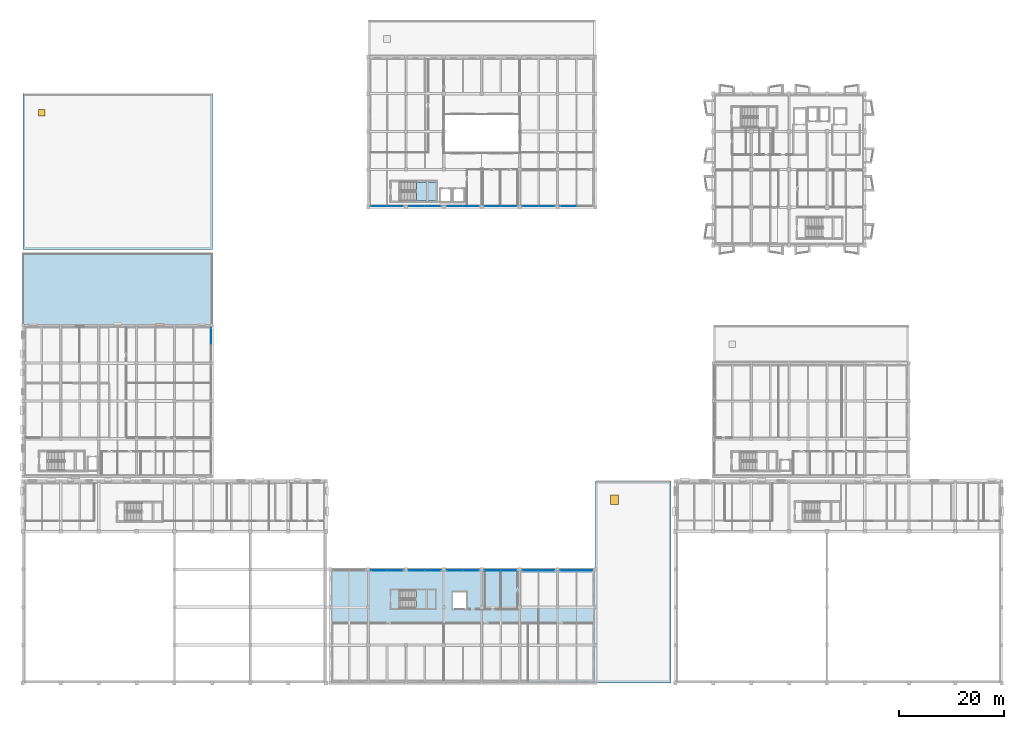
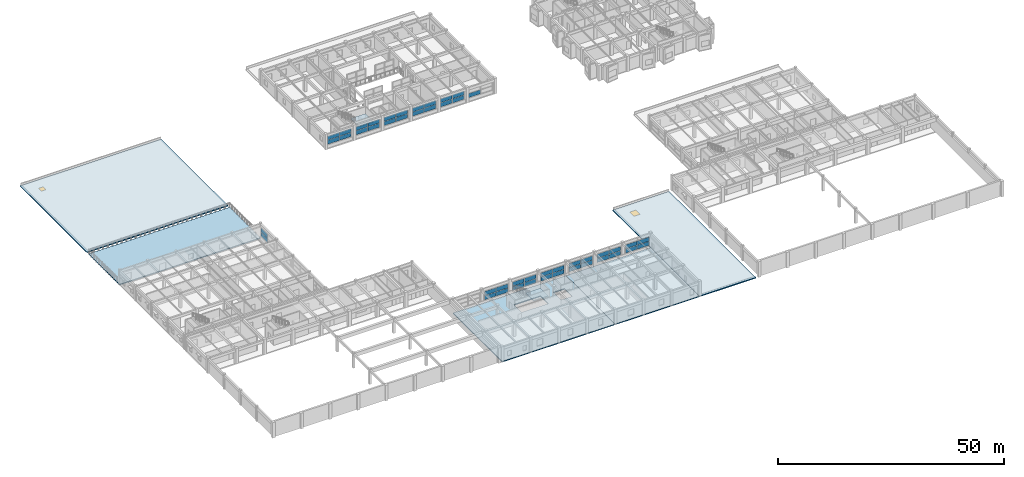
# One storey, part 41 of 67: 47 plates, 7 slabs, 2 windows, 2 openings, 15 elements without a shape of their own.
"""IFC4 building model written with IfcOpenShell, lengths in metres."""

from ifc_helpers import new_model, si_unit, direction, frame, origin, origin_2d, place, context, subcontext, project, spatial, polyline, rectangle, outline, extrude, material, layer, layer_set, type_object, element, fill, aggregate, save


model = new_model("IFC4")

# Units and contexts
model_context = context("Model", 3, precision=1e-05, world=origin(), true_north=direction((0.0, 1.0)))
body_context = subcontext(model_context, "Body", "Model", "MODEL_VIEW")
ifc_project = project(units=[si_unit("LENGTHUNIT", "METRE"), si_unit("AREAUNIT", "SQUARE_METRE"), si_unit("VOLUMEUNIT", "CUBIC_METRE"), si_unit("PLANEANGLEUNIT", "RADIAN"), si_unit("MASSUNIT", "GRAM", prefix="KILO")], contexts=[model_context])

# Site, building, storey
site_placement = place(None, origin())
site = spatial("IfcSite", under=ifc_project, at=site_placement, CompositionType="ELEMENT")
building_placement = place(site_placement, origin())
building = spatial("IfcBuilding", under=site, at=building_placement, Name="Bramveld Media Centre", CompositionType="ELEMENT")
storey_placement = place(building_placement, frame((0.0, 0.0, 5.39990234375)))
storey = spatial("IfcBuildingStorey", under=building, at=storey_placement, Name="L01", CompositionType="ELEMENT", Elevation=5.39990234375)

# Curtain wall, plates
ifc_material_1 = material(Name="Thermally broken anodized bronze aluminium unitized curtain wall with solar-control triple glazing", Category="aluminium")
curtain_wall_type_1 = type_object("IfcCurtainWallType", Name="CW-FACV3-6100x2330", PredefinedType="NOTDEFINED", material=ifc_material_1)
curtain_wall_1_placement = place(storey_placement, origin())
curtain_wall_1 = element("IfcCurtainWall", 1, at=curtain_wall_1_placement, inside=storey, type_object=curtain_wall_type_1, Name="V3 L01 E curtain wall bay 4", PredefinedType="NOTDEFINED")
ifc_material_2 = material(Name="Solar-control triple insulating safety glass unit", Category="glass")
ifc_layer_1 = layer(ifc_material_2, 0.028076171875)
ifc_layer_set_1 = layer_set([ifc_layer_1], Name="Solar-control triple insulating safety glass unit")
plate_type = type_object("IfcPlateType", Name="CW-PAN-EXT", PredefinedType="CURTAIN_PANEL", material=ifc_layer_set_1)
plate_1_placement = place(storey_placement, frame((35.77001953125, 65.909912109375, 0.91015625), z_axis=(0.0, 0.0, 1.0), x_axis=(0.0, 1.0, 0.0)))
plate_1 = element("IfcPlate", 2, at=plate_1_placement, type_object=plate_type, Name="CW-FA-6123 panel 2.1", PredefinedType="CURTAIN_PANEL", context=body_context, shape_type="SweptSolid", body=[
    extrude(rectangle(XDim=2.9599609375, YDim=0.028076171875, at=origin_2d()), origin(), (0.0, 0.0, 1.0), 1.074951171875),
])
plate_2_placement = place(storey_placement, frame((35.77001953125, 65.909912109375, 2.044921875), z_axis=(0.0, 0.0, 1.0), x_axis=(0.0, 1.0, 0.0)))
plate_2 = element("IfcPlate", 3, at=plate_2_placement, type_object=plate_type, Name="CW-FA-6123 panel 2.2", PredefinedType="CURTAIN_PANEL", context=body_context, shape_type="SweptSolid", body=[
    extrude(rectangle(XDim=2.9599609375, YDim=0.028076171875, at=origin_2d()), origin(), (0.0, 0.0, 1.0), 1.074951171875),
])
aggregate(curtain_wall_1, [plate_1, plate_2])

ifc_material_3 = material(Name="Thermally broken anodized bronze aluminium unitized curtain wall with solar-control triple glazing", Category="aluminium")
curtain_wall_type_2 = type_object("IfcCurtainWallType", Name="CW-FACV5-6100x2380", PredefinedType="NOTDEFINED", material=ifc_material_3)
curtain_wall_2_placement = place(storey_placement, origin())
curtain_wall_2 = element("IfcCurtainWall", 4, at=curtain_wall_2_placement, inside=storey, type_object=curtain_wall_type_2, Name="V5 L01 N curtain wall bay 2", PredefinedType="NOTDEFINED")
plate_3_placement = place(storey_placement, frame((67.68994140625, 21.3701171875, 0.91015625), z_axis=(0.0, 0.0, 1.0), x_axis=(1.0, 0.0, 0.0)))
plate_3 = element("IfcPlate", 5, at=plate_3_placement, type_object=plate_type, Name="CW-FA-6123 panel 1.1", PredefinedType="CURTAIN_PANEL", context=body_context, shape_type="SweptSolid", body=[
    extrude(rectangle(XDim=2.9599609375, YDim=0.028076171875, at=origin_2d()), origin(), (0.0, 0.0, 1.0), 1.10009765625),
])
plate_4_placement = place(storey_placement, frame((67.68994140625, 21.3701171875, 2.070068359375), z_axis=(0.0, 0.0, 1.0), x_axis=(1.0, 0.0, 0.0)))
plate_4 = element("IfcPlate", 6, at=plate_4_placement, type_object=plate_type, Name="CW-FA-6123 panel 1.2", PredefinedType="CURTAIN_PANEL", context=body_context, shape_type="SweptSolid", body=[
    extrude(rectangle(XDim=2.9599609375, YDim=0.028076171875, at=origin_2d()), origin(), (0.0, 0.0, 1.0), 1.10009765625),
])
plate_5_placement = place(storey_placement, frame((70.7099609375, 21.3701171875, 0.91015625), z_axis=(0.0, 0.0, 1.0), x_axis=(1.0, 0.0, 0.0)))
plate_5 = element("IfcPlate", 7, at=plate_5_placement, type_object=plate_type, Name="CW-FA-6123 panel 2.1", PredefinedType="CURTAIN_PANEL", context=body_context, shape_type="SweptSolid", body=[
    extrude(rectangle(XDim=2.9599609375, YDim=0.028076171875, at=origin_2d()), origin(), (0.0, 0.0, 1.0), 1.10009765625),
])
plate_6_placement = place(storey_placement, frame((70.7099609375, 21.3701171875, 2.070068359375), z_axis=(0.0, 0.0, 1.0), x_axis=(1.0, 0.0, 0.0)))
plate_6 = element("IfcPlate", 8, at=plate_6_placement, type_object=plate_type, Name="CW-FA-6123 panel 2.2", PredefinedType="CURTAIN_PANEL", context=body_context, shape_type="SweptSolid", body=[
    extrude(rectangle(XDim=2.9599609375, YDim=0.028076171875, at=origin_2d()), origin(), (0.0, 0.0, 1.0), 1.10009765625),
])
aggregate(curtain_wall_2, [plate_3, plate_4, plate_5, plate_6])

curtain_wall_3_placement = place(storey_placement, origin())
curtain_wall_3 = element("IfcCurtainWall", 9, at=curtain_wall_3_placement, inside=storey, type_object=curtain_wall_type_2, Name="V5 L01 N curtain wall bay 3", PredefinedType="NOTDEFINED")
plate_7_placement = place(storey_placement, frame((74.889892578125, 21.3701171875, 0.91015625), z_axis=(0.0, 0.0, 1.0), x_axis=(1.0, 0.0, 0.0)))
plate_7 = element("IfcPlate", 10, at=plate_7_placement, type_object=plate_type, Name="CW-FA-6123 panel 1.1", PredefinedType="CURTAIN_PANEL", context=body_context, shape_type="SweptSolid", body=[
    extrude(rectangle(XDim=2.9599609375, YDim=0.028076171875, at=origin_2d()), origin(), (0.0, 0.0, 1.0), 1.10009765625),
])
plate_8_placement = place(storey_placement, frame((74.889892578125, 21.3701171875, 2.070068359375), z_axis=(0.0, 0.0, 1.0), x_axis=(1.0, 0.0, 0.0)))
plate_8 = element("IfcPlate", 11, at=plate_8_placement, type_object=plate_type, Name="CW-FA-6123 panel 1.2", PredefinedType="CURTAIN_PANEL", context=body_context, shape_type="SweptSolid", body=[
    extrude(rectangle(XDim=2.9599609375, YDim=0.028076171875, at=origin_2d()), origin(), (0.0, 0.0, 1.0), 1.10009765625),
])
plate_9_placement = place(storey_placement, frame((77.909912109375, 21.3701171875, 0.91015625), z_axis=(0.0, 0.0, 1.0), x_axis=(1.0, 0.0, 0.0)))
plate_9 = element("IfcPlate", 12, at=plate_9_placement, type_object=plate_type, Name="CW-FA-6123 panel 2.1", PredefinedType="CURTAIN_PANEL", context=body_context, shape_type="SweptSolid", body=[
    extrude(rectangle(XDim=2.9599609375, YDim=0.028076171875, at=origin_2d()), origin(), (0.0, 0.0, 1.0), 1.10009765625),
])
plate_10_placement = place(storey_placement, frame((77.909912109375, 21.3701171875, 2.070068359375), z_axis=(0.0, 0.0, 1.0), x_axis=(1.0, 0.0, 0.0)))
plate_10 = element("IfcPlate", 13, at=plate_10_placement, type_object=plate_type, Name="CW-FA-6123 panel 2.2", PredefinedType="CURTAIN_PANEL", context=body_context, shape_type="SweptSolid", body=[
    extrude(rectangle(XDim=2.9599609375, YDim=0.028076171875, at=origin_2d()), origin(), (0.0, 0.0, 1.0), 1.10009765625),
])
aggregate(curtain_wall_3, [plate_7, plate_8, plate_9, plate_10])

curtain_wall_4_placement = place(storey_placement, origin())
curtain_wall_4 = element("IfcCurtainWall", 14, at=curtain_wall_4_placement, inside=storey, type_object=curtain_wall_type_2, Name="V5 L01 N curtain wall bay 4", PredefinedType="NOTDEFINED")
plate_11_placement = place(storey_placement, frame((82.090087890625, 21.3701171875, 0.91015625), z_axis=(0.0, 0.0, 1.0), x_axis=(1.0, 0.0, 0.0)))
plate_11 = element("IfcPlate", 15, at=plate_11_placement, type_object=plate_type, Name="CW-FA-6123 panel 1.1", PredefinedType="CURTAIN_PANEL", context=body_context, shape_type="SweptSolid", body=[
    extrude(rectangle(XDim=2.9599609375, YDim=0.028076171875, at=origin_2d()), origin(), (0.0, 0.0, 1.0), 1.10009765625),
])
plate_12_placement = place(storey_placement, frame((82.090087890625, 21.3701171875, 2.070068359375), z_axis=(0.0, 0.0, 1.0), x_axis=(1.0, 0.0, 0.0)))
plate_12 = element("IfcPlate", 16, at=plate_12_placement, type_object=plate_type, Name="CW-FA-6123 panel 1.2", PredefinedType="CURTAIN_PANEL", context=body_context, shape_type="SweptSolid", body=[
    extrude(rectangle(XDim=2.9599609375, YDim=0.028076171875, at=origin_2d()), origin(), (0.0, 0.0, 1.0), 1.10009765625),
])
plate_13_placement = place(storey_placement, frame((85.110107421875, 21.3701171875, 0.91015625), z_axis=(0.0, 0.0, 1.0), x_axis=(1.0, 0.0, 0.0)))
plate_13 = element("IfcPlate", 17, at=plate_13_placement, type_object=plate_type, Name="CW-FA-6123 panel 2.1", PredefinedType="CURTAIN_PANEL", context=body_context, shape_type="SweptSolid", body=[
    extrude(rectangle(XDim=2.9599609375, YDim=0.028076171875, at=origin_2d()), origin(), (0.0, 0.0, 1.0), 1.10009765625),
])
plate_14_placement = place(storey_placement, frame((85.110107421875, 21.3701171875, 2.070068359375), z_axis=(0.0, 0.0, 1.0), x_axis=(1.0, 0.0, 0.0)))
plate_14 = element("IfcPlate", 18, at=plate_14_placement, type_object=plate_type, Name="CW-FA-6123 panel 2.2", PredefinedType="CURTAIN_PANEL", context=body_context, shape_type="SweptSolid", body=[
    extrude(rectangle(XDim=2.9599609375, YDim=0.028076171875, at=origin_2d()), origin(), (0.0, 0.0, 1.0), 1.10009765625),
])
aggregate(curtain_wall_4, [plate_11, plate_12, plate_13, plate_14])

curtain_wall_5_placement = place(storey_placement, origin())
curtain_wall_5 = element("IfcCurtainWall", 19, at=curtain_wall_5_placement, inside=storey, type_object=curtain_wall_type_2, Name="V5 L01 N curtain wall bay 5", PredefinedType="NOTDEFINED")
plate_15_placement = place(storey_placement, frame((89.2900390625, 21.3701171875, 0.91015625), z_axis=(0.0, 0.0, 1.0), x_axis=(1.0, 0.0, 0.0)))
plate_15 = element("IfcPlate", 20, at=plate_15_placement, type_object=plate_type, Name="CW-FA-6123 panel 1.1", PredefinedType="CURTAIN_PANEL", context=body_context, shape_type="SweptSolid", body=[
    extrude(rectangle(XDim=2.9599609375, YDim=0.028076171875, at=origin_2d()), origin(), (0.0, 0.0, 1.0), 1.10009765625),
])
plate_16_placement = place(storey_placement, frame((89.2900390625, 21.3701171875, 2.070068359375), z_axis=(0.0, 0.0, 1.0), x_axis=(1.0, 0.0, 0.0)))
plate_16 = element("IfcPlate", 21, at=plate_16_placement, type_object=plate_type, Name="CW-FA-6123 panel 1.2", PredefinedType="CURTAIN_PANEL", context=body_context, shape_type="SweptSolid", body=[
    extrude(rectangle(XDim=2.9599609375, YDim=0.028076171875, at=origin_2d()), origin(), (0.0, 0.0, 1.0), 1.10009765625),
])
plate_17_placement = place(storey_placement, frame((92.31005859375, 21.3701171875, 0.91015625), z_axis=(0.0, 0.0, 1.0), x_axis=(1.0, 0.0, 0.0)))
plate_17 = element("IfcPlate", 22, at=plate_17_placement, type_object=plate_type, Name="CW-FA-6123 panel 2.1", PredefinedType="CURTAIN_PANEL", context=body_context, shape_type="SweptSolid", body=[
    extrude(rectangle(XDim=2.9599609375, YDim=0.028076171875, at=origin_2d()), origin(), (0.0, 0.0, 1.0), 1.10009765625),
])
plate_18_placement = place(storey_placement, frame((92.31005859375, 21.3701171875, 2.070068359375), z_axis=(0.0, 0.0, 1.0), x_axis=(1.0, 0.0, 0.0)))
plate_18 = element("IfcPlate", 23, at=plate_18_placement, type_object=plate_type, Name="CW-FA-6123 panel 2.2", PredefinedType="CURTAIN_PANEL", context=body_context, shape_type="SweptSolid", body=[
    extrude(rectangle(XDim=2.9599609375, YDim=0.028076171875, at=origin_2d()), origin(), (0.0, 0.0, 1.0), 1.10009765625),
])
aggregate(curtain_wall_5, [plate_15, plate_16, plate_17, plate_18])

curtain_wall_6_placement = place(storey_placement, origin())
curtain_wall_6 = element("IfcCurtainWall", 24, at=curtain_wall_6_placement, inside=storey, type_object=curtain_wall_type_2, Name="V5 L01 N curtain wall bay 6", PredefinedType="NOTDEFINED")
plate_19_placement = place(storey_placement, frame((96.489990234375, 21.3701171875, 0.91015625), z_axis=(0.0, 0.0, 1.0), x_axis=(1.0, 0.0, 0.0)))
plate_19 = element("IfcPlate", 25, at=plate_19_placement, type_object=plate_type, Name="CW-FA-6123 panel 1.1", PredefinedType="CURTAIN_PANEL", context=body_context, shape_type="SweptSolid", body=[
    extrude(rectangle(XDim=2.9599609375, YDim=0.028076171875, at=origin_2d()), origin(), (0.0, 0.0, 1.0), 1.10009765625),
])
plate_20_placement = place(storey_placement, frame((96.489990234375, 21.3701171875, 2.070068359375), z_axis=(0.0, 0.0, 1.0), x_axis=(1.0, 0.0, 0.0)))
plate_20 = element("IfcPlate", 26, at=plate_20_placement, type_object=plate_type, Name="CW-FA-6123 panel 1.2", PredefinedType="CURTAIN_PANEL", context=body_context, shape_type="SweptSolid", body=[
    extrude(rectangle(XDim=2.9599609375, YDim=0.028076171875, at=origin_2d()), origin(), (0.0, 0.0, 1.0), 1.10009765625),
])
plate_21_placement = place(storey_placement, frame((99.510009765625, 21.3701171875, 0.91015625), z_axis=(0.0, 0.0, 1.0), x_axis=(1.0, 0.0, 0.0)))
plate_21 = element("IfcPlate", 27, at=plate_21_placement, type_object=plate_type, Name="CW-FA-6123 panel 2.1", PredefinedType="CURTAIN_PANEL", context=body_context, shape_type="SweptSolid", body=[
    extrude(rectangle(XDim=2.9599609375, YDim=0.028076171875, at=origin_2d()), origin(), (0.0, 0.0, 1.0), 1.10009765625),
])
plate_22_placement = place(storey_placement, frame((99.510009765625, 21.3701171875, 2.070068359375), z_axis=(0.0, 0.0, 1.0), x_axis=(1.0, 0.0, 0.0)))
plate_22 = element("IfcPlate", 28, at=plate_22_placement, type_object=plate_type, Name="CW-FA-6123 panel 2.2", PredefinedType="CURTAIN_PANEL", context=body_context, shape_type="SweptSolid", body=[
    extrude(rectangle(XDim=2.9599609375, YDim=0.028076171875, at=origin_2d()), origin(), (0.0, 0.0, 1.0), 1.10009765625),
])
aggregate(curtain_wall_6, [plate_19, plate_20, plate_21, plate_22])

curtain_wall_7_placement = place(storey_placement, origin())
curtain_wall_7 = element("IfcCurtainWall", 29, at=curtain_wall_7_placement, inside=storey, type_object=curtain_wall_type_2, Name="V5 L01 N curtain wall bay 7", PredefinedType="NOTDEFINED")
plate_23_placement = place(storey_placement, frame((103.68994140625, 21.3701171875, 0.91015625), z_axis=(0.0, 0.0, 1.0), x_axis=(1.0, 0.0, 0.0)))
plate_23 = element("IfcPlate", 30, at=plate_23_placement, type_object=plate_type, Name="CW-FA-6123 panel 1.1", PredefinedType="CURTAIN_PANEL", context=body_context, shape_type="SweptSolid", body=[
    extrude(rectangle(XDim=2.9599609375, YDim=0.028076171875, at=origin_2d()), origin(), (0.0, 0.0, 1.0), 1.10009765625),
])
plate_24_placement = place(storey_placement, frame((103.68994140625, 21.3701171875, 2.070068359375), z_axis=(0.0, 0.0, 1.0), x_axis=(1.0, 0.0, 0.0)))
plate_24 = element("IfcPlate", 31, at=plate_24_placement, type_object=plate_type, Name="CW-FA-6123 panel 1.2", PredefinedType="CURTAIN_PANEL", context=body_context, shape_type="SweptSolid", body=[
    extrude(rectangle(XDim=2.9599609375, YDim=0.028076171875, at=origin_2d()), origin(), (0.0, 0.0, 1.0), 1.10009765625),
])
plate_25_placement = place(storey_placement, frame((106.7099609375, 21.3701171875, 0.91015625), z_axis=(0.0, 0.0, 1.0), x_axis=(1.0, 0.0, 0.0)))
plate_25 = element("IfcPlate", 32, at=plate_25_placement, type_object=plate_type, Name="CW-FA-6123 panel 2.1", PredefinedType="CURTAIN_PANEL", context=body_context, shape_type="SweptSolid", body=[
    extrude(rectangle(XDim=2.9599609375, YDim=0.028076171875, at=origin_2d()), origin(), (0.0, 0.0, 1.0), 1.10009765625),
])
plate_26_placement = place(storey_placement, frame((106.7099609375, 21.3701171875, 2.070068359375), z_axis=(0.0, 0.0, 1.0), x_axis=(1.0, 0.0, 0.0)))
plate_26 = element("IfcPlate", 33, at=plate_26_placement, type_object=plate_type, Name="CW-FA-6123 panel 2.2", PredefinedType="CURTAIN_PANEL", context=body_context, shape_type="SweptSolid", body=[
    extrude(rectangle(XDim=2.9599609375, YDim=0.028076171875, at=origin_2d()), origin(), (0.0, 0.0, 1.0), 1.10009765625),
])
aggregate(curtain_wall_7, [plate_23, plate_24, plate_25, plate_26])

ifc_material_4 = material(Name="Thermally broken anodized bronze aluminium unitized curtain wall with solar-control triple glazing", Category="aluminium")
curtain_wall_type_3 = type_object("IfcCurtainWallType", Name="CW-FACV6-6100x2350", PredefinedType="NOTDEFINED", material=ifc_material_4)
curtain_wall_8_placement = place(storey_placement, origin())
curtain_wall_8 = element("IfcCurtainWall", 34, at=curtain_wall_8_placement, inside=storey, type_object=curtain_wall_type_3, Name="V6 L01 S curtain wall bay 1", PredefinedType="NOTDEFINED")
plate_27_placement = place(storey_placement, frame((67.68994140625, 90.6298828125, 0.91015625), z_axis=(0.0, 0.0, 1.0), x_axis=(1.0, 0.0, 0.0)))
plate_27 = element("IfcPlate", 35, at=plate_27_placement, type_object=plate_type, Name="CW-FA-6123 panel 1.1", PredefinedType="CURTAIN_PANEL", context=body_context, shape_type="SweptSolid", body=[
    extrude(rectangle(XDim=2.9599609375, YDim=0.028076171875, at=origin_2d()), origin(), (0.0, 0.0, 1.0), 1.0849609375),
])
plate_28_placement = place(storey_placement, frame((67.68994140625, 90.6298828125, 2.05517578125), z_axis=(0.0, 0.0, 1.0), x_axis=(1.0, 0.0, 0.0)))
plate_28 = element("IfcPlate", 36, at=plate_28_placement, type_object=plate_type, Name="CW-FA-6123 panel 1.2", PredefinedType="CURTAIN_PANEL", context=body_context, shape_type="SweptSolid", body=[
    extrude(rectangle(XDim=2.9599609375, YDim=0.028076171875, at=origin_2d()), origin(), (0.0, 0.0, 1.0), 1.0849609375),
])
plate_29_placement = place(storey_placement, frame((70.7099609375, 90.6298828125, 0.91015625), z_axis=(0.0, 0.0, 1.0), x_axis=(1.0, 0.0, 0.0)))
plate_29 = element("IfcPlate", 37, at=plate_29_placement, type_object=plate_type, Name="CW-FA-6123 panel 2.1", PredefinedType="CURTAIN_PANEL", context=body_context, shape_type="SweptSolid", body=[
    extrude(rectangle(XDim=2.9599609375, YDim=0.028076171875, at=origin_2d()), origin(), (0.0, 0.0, 1.0), 1.0849609375),
])
plate_30_placement = place(storey_placement, frame((70.7099609375, 90.6298828125, 2.05517578125), z_axis=(0.0, 0.0, 1.0), x_axis=(1.0, 0.0, 0.0)))
plate_30 = element("IfcPlate", 38, at=plate_30_placement, type_object=plate_type, Name="CW-FA-6123 panel 2.2", PredefinedType="CURTAIN_PANEL", context=body_context, shape_type="SweptSolid", body=[
    extrude(rectangle(XDim=2.9599609375, YDim=0.028076171875, at=origin_2d()), origin(), (0.0, 0.0, 1.0), 1.0849609375),
])
aggregate(curtain_wall_8, [plate_27, plate_28, plate_29, plate_30])

curtain_wall_9_placement = place(storey_placement, origin())
curtain_wall_9 = element("IfcCurtainWall", 39, at=curtain_wall_9_placement, inside=storey, type_object=curtain_wall_type_3, Name="V6 L01 S curtain wall bay 2", PredefinedType="NOTDEFINED")
plate_31_placement = place(storey_placement, frame((74.889892578125, 90.6298828125, 0.91015625), z_axis=(0.0, 0.0, 1.0), x_axis=(1.0, 0.0, 0.0)))
plate_31 = element("IfcPlate", 40, at=plate_31_placement, type_object=plate_type, Name="CW-FA-6123 panel 1.1", PredefinedType="CURTAIN_PANEL", context=body_context, shape_type="SweptSolid", body=[
    extrude(rectangle(XDim=2.9599609375, YDim=0.028076171875, at=origin_2d()), origin(), (0.0, 0.0, 1.0), 1.0849609375),
])
plate_32_placement = place(storey_placement, frame((74.889892578125, 90.6298828125, 2.05517578125), z_axis=(0.0, 0.0, 1.0), x_axis=(1.0, 0.0, 0.0)))
plate_32 = element("IfcPlate", 41, at=plate_32_placement, type_object=plate_type, Name="CW-FA-6123 panel 1.2", PredefinedType="CURTAIN_PANEL", context=body_context, shape_type="SweptSolid", body=[
    extrude(rectangle(XDim=2.9599609375, YDim=0.028076171875, at=origin_2d()), origin(), (0.0, 0.0, 1.0), 1.0849609375),
])
plate_33_placement = place(storey_placement, frame((77.909912109375, 90.6298828125, 0.91015625), z_axis=(0.0, 0.0, 1.0), x_axis=(1.0, 0.0, 0.0)))
plate_33 = element("IfcPlate", 42, at=plate_33_placement, type_object=plate_type, Name="CW-FA-6123 panel 2.1", PredefinedType="CURTAIN_PANEL", context=body_context, shape_type="SweptSolid", body=[
    extrude(rectangle(XDim=2.9599609375, YDim=0.028076171875, at=origin_2d()), origin(), (0.0, 0.0, 1.0), 1.0849609375),
])
plate_34_placement = place(storey_placement, frame((77.909912109375, 90.6298828125, 2.05517578125), z_axis=(0.0, 0.0, 1.0), x_axis=(1.0, 0.0, 0.0)))
plate_34 = element("IfcPlate", 43, at=plate_34_placement, type_object=plate_type, Name="CW-FA-6123 panel 2.2", PredefinedType="CURTAIN_PANEL", context=body_context, shape_type="SweptSolid", body=[
    extrude(rectangle(XDim=2.9599609375, YDim=0.028076171875, at=origin_2d()), origin(), (0.0, 0.0, 1.0), 1.0849609375),
])
aggregate(curtain_wall_9, [plate_31, plate_32, plate_33, plate_34])

curtain_wall_10_placement = place(storey_placement, origin())
curtain_wall_10 = element("IfcCurtainWall", 44, at=curtain_wall_10_placement, inside=storey, type_object=curtain_wall_type_3, Name="V6 L01 S curtain wall bay 3", PredefinedType="NOTDEFINED")
plate_35_placement = place(storey_placement, frame((82.090087890625, 90.6298828125, 0.91015625), z_axis=(0.0, 0.0, 1.0), x_axis=(1.0, 0.0, 0.0)))
plate_35 = element("IfcPlate", 45, at=plate_35_placement, type_object=plate_type, Name="CW-FA-6123 panel 1.1", PredefinedType="CURTAIN_PANEL", context=body_context, shape_type="SweptSolid", body=[
    extrude(rectangle(XDim=2.9599609375, YDim=0.028076171875, at=origin_2d()), origin(), (0.0, 0.0, 1.0), 1.0849609375),
])
plate_36_placement = place(storey_placement, frame((82.090087890625, 90.6298828125, 2.05517578125), z_axis=(0.0, 0.0, 1.0), x_axis=(1.0, 0.0, 0.0)))
plate_36 = element("IfcPlate", 46, at=plate_36_placement, type_object=plate_type, Name="CW-FA-6123 panel 1.2", PredefinedType="CURTAIN_PANEL", context=body_context, shape_type="SweptSolid", body=[
    extrude(rectangle(XDim=2.9599609375, YDim=0.028076171875, at=origin_2d()), origin(), (0.0, 0.0, 1.0), 1.0849609375),
])
plate_37_placement = place(storey_placement, frame((85.110107421875, 90.6298828125, 0.91015625), z_axis=(0.0, 0.0, 1.0), x_axis=(1.0, 0.0, 0.0)))
plate_37 = element("IfcPlate", 47, at=plate_37_placement, type_object=plate_type, Name="CW-FA-6123 panel 2.1", PredefinedType="CURTAIN_PANEL", context=body_context, shape_type="SweptSolid", body=[
    extrude(rectangle(XDim=2.9599609375, YDim=0.028076171875, at=origin_2d()), origin(), (0.0, 0.0, 1.0), 1.0849609375),
])
plate_38_placement = place(storey_placement, frame((85.110107421875, 90.6298828125, 2.05517578125), z_axis=(0.0, 0.0, 1.0), x_axis=(1.0, 0.0, 0.0)))
plate_38 = element("IfcPlate", 48, at=plate_38_placement, type_object=plate_type, Name="CW-FA-6123 panel 2.2", PredefinedType="CURTAIN_PANEL", context=body_context, shape_type="SweptSolid", body=[
    extrude(rectangle(XDim=2.9599609375, YDim=0.028076171875, at=origin_2d()), origin(), (0.0, 0.0, 1.0), 1.0849609375),
])
aggregate(curtain_wall_10, [plate_35, plate_36, plate_37, plate_38])

curtain_wall_11_placement = place(storey_placement, origin())
curtain_wall_11 = element("IfcCurtainWall", 49, at=curtain_wall_11_placement, inside=storey, type_object=curtain_wall_type_3, Name="V6 L01 S curtain wall bay 4", PredefinedType="NOTDEFINED")
plate_39_placement = place(storey_placement, frame((89.2900390625, 90.6298828125, 0.91015625), z_axis=(0.0, 0.0, 1.0), x_axis=(1.0, 0.0, 0.0)))
plate_39 = element("IfcPlate", 50, at=plate_39_placement, type_object=plate_type, Name="CW-FA-6123 panel 1.1", PredefinedType="CURTAIN_PANEL", context=body_context, shape_type="SweptSolid", body=[
    extrude(rectangle(XDim=2.9599609375, YDim=0.028076171875, at=origin_2d()), origin(), (0.0, 0.0, 1.0), 1.0849609375),
])
plate_40_placement = place(storey_placement, frame((89.2900390625, 90.6298828125, 2.05517578125), z_axis=(0.0, 0.0, 1.0), x_axis=(1.0, 0.0, 0.0)))
plate_40 = element("IfcPlate", 51, at=plate_40_placement, type_object=plate_type, Name="CW-FA-6123 panel 1.2", PredefinedType="CURTAIN_PANEL", context=body_context, shape_type="SweptSolid", body=[
    extrude(rectangle(XDim=2.9599609375, YDim=0.028076171875, at=origin_2d()), origin(), (0.0, 0.0, 1.0), 1.0849609375),
])
plate_41_placement = place(storey_placement, frame((92.31005859375, 90.6298828125, 0.91015625), z_axis=(0.0, 0.0, 1.0), x_axis=(1.0, 0.0, 0.0)))
plate_41 = element("IfcPlate", 52, at=plate_41_placement, type_object=plate_type, Name="CW-FA-6123 panel 2.1", PredefinedType="CURTAIN_PANEL", context=body_context, shape_type="SweptSolid", body=[
    extrude(rectangle(XDim=2.9599609375, YDim=0.028076171875, at=origin_2d()), origin(), (0.0, 0.0, 1.0), 1.0849609375),
])
plate_42_placement = place(storey_placement, frame((92.31005859375, 90.6298828125, 2.05517578125), z_axis=(0.0, 0.0, 1.0), x_axis=(1.0, 0.0, 0.0)))
plate_42 = element("IfcPlate", 53, at=plate_42_placement, type_object=plate_type, Name="CW-FA-6123 panel 2.2", PredefinedType="CURTAIN_PANEL", context=body_context, shape_type="SweptSolid", body=[
    extrude(rectangle(XDim=2.9599609375, YDim=0.028076171875, at=origin_2d()), origin(), (0.0, 0.0, 1.0), 1.0849609375),
])
aggregate(curtain_wall_11, [plate_39, plate_40, plate_41, plate_42])

curtain_wall_12_placement = place(storey_placement, origin())
curtain_wall_12 = element("IfcCurtainWall", 54, at=curtain_wall_12_placement, inside=storey, type_object=curtain_wall_type_3, Name="V6 L01 S curtain wall bay 5", PredefinedType="NOTDEFINED")
plate_43_placement = place(storey_placement, frame((96.489990234375, 90.6298828125, 0.91015625), z_axis=(0.0, 0.0, 1.0), x_axis=(1.0, 0.0, 0.0)))
plate_43 = element("IfcPlate", 55, at=plate_43_placement, type_object=plate_type, Name="CW-FA-6123 panel 1.1", PredefinedType="CURTAIN_PANEL", context=body_context, shape_type="SweptSolid", body=[
    extrude(rectangle(XDim=2.9599609375, YDim=0.028076171875, at=origin_2d()), origin(), (0.0, 0.0, 1.0), 1.0849609375),
])
plate_44_placement = place(storey_placement, frame((96.489990234375, 90.6298828125, 2.05517578125), z_axis=(0.0, 0.0, 1.0), x_axis=(1.0, 0.0, 0.0)))
plate_44 = element("IfcPlate", 56, at=plate_44_placement, type_object=plate_type, Name="CW-FA-6123 panel 1.2", PredefinedType="CURTAIN_PANEL", context=body_context, shape_type="SweptSolid", body=[
    extrude(rectangle(XDim=2.9599609375, YDim=0.028076171875, at=origin_2d()), origin(), (0.0, 0.0, 1.0), 1.0849609375),
])
plate_45_placement = place(storey_placement, frame((99.510009765625, 90.6298828125, 0.91015625), z_axis=(0.0, 0.0, 1.0), x_axis=(1.0, 0.0, 0.0)))
plate_45 = element("IfcPlate", 57, at=plate_45_placement, type_object=plate_type, Name="CW-FA-6123 panel 2.1", PredefinedType="CURTAIN_PANEL", context=body_context, shape_type="SweptSolid", body=[
    extrude(rectangle(XDim=2.9599609375, YDim=0.028076171875, at=origin_2d()), origin(), (0.0, 0.0, 1.0), 1.0849609375),
])
plate_46_placement = place(storey_placement, frame((99.510009765625, 90.6298828125, 2.05517578125), z_axis=(0.0, 0.0, 1.0), x_axis=(1.0, 0.0, 0.0)))
plate_46 = element("IfcPlate", 58, at=plate_46_placement, type_object=plate_type, Name="CW-FA-6123 panel 2.2", PredefinedType="CURTAIN_PANEL", context=body_context, shape_type="SweptSolid", body=[
    extrude(rectangle(XDim=2.9599609375, YDim=0.028076171875, at=origin_2d()), origin(), (0.0, 0.0, 1.0), 1.0849609375),
])
aggregate(curtain_wall_12, [plate_43, plate_44, plate_45, plate_46])

# Curtain wall, plate
curtain_wall_13_placement = place(storey_placement, origin())
curtain_wall_13 = element("IfcCurtainWall", 59, at=curtain_wall_13_placement, inside=storey, type_object=curtain_wall_type_3, Name="V6 L01 S curtain wall bay 6", PredefinedType="NOTDEFINED")
plate_47_placement = place(storey_placement, frame((103.68994140625, 90.6298828125, 0.91015625), z_axis=(0.0, 0.0, 1.0), x_axis=(1.0, 0.0, 0.0)))
plate_47 = element("IfcPlate", 60, at=plate_47_placement, type_object=plate_type, Name="CW-FA-6123 panel 1.1", PredefinedType="CURTAIN_PANEL", context=body_context, shape_type="SweptSolid", body=[
    extrude(rectangle(XDim=2.9599609375, YDim=0.028076171875, at=origin_2d()), origin(), (0.0, 0.0, 1.0), 1.0849609375),
])
aggregate(curtain_wall_13, [plate_47])

# Slab, opening, window
ifc_material_5 = material(Name="Concrete C40/50", Category="concrete")
ifc_layer_2 = layer(ifc_material_5, 0.235107421875)
ifc_layer_set_2 = layer_set([ifc_layer_2], Name="Concrete C40/50")
slab_type_1 = type_object("IfcSlabType", Name="ROOF-SLAB-235-16", PredefinedType="ROOF", material=ifc_layer_set_2)
slab_1_placement = place(storey_placement, frame((0.0, 0.0, -0.23486328125)))
slab_1 = element("IfcSlab", 61, at=slab_1_placement, inside=storey, type_object=slab_type_1, Name="V3 L01 flat roof slab", PredefinedType="ROOF", context=body_context, shape_type="SweptSolid", body=[
    extrude(outline(polyline([(0.0, 82.39990234375), (36.0, 82.39990234375), (36.0, 112.0), (0.0, 112.0), (0.0, 82.39990234375)])), origin(), (0.0, 0.0, 1.0), 0.23486328125),
])
opening_1_placement = place(slab_1_placement, frame((3.60009765625, 108.39990234375, 0.0)))
opening_1 = element("IfcOpeningElement", 62, at=opening_1_placement, cuts=slab_1, Name="Opening SK-01", PredefinedType="OPENING", context=body_context, shape_type="SweptSolid", body=[
    extrude(rectangle(XDim=1.199951171875, YDim=1.199951171875, at=origin_2d()), origin(), (0.0, 0.0, 1.0), 0.23486328125),
])
ifc_material_6 = material(Name="Insulated aluminium smoke-ventilation & maintenance roof skylight hatch", Category="aluminium")
window_type_1 = type_object("IfcWindowType", Name="SKY-HATCH-01", PartitioningType="SINGLE_PANEL", PredefinedType="SKYLIGHT", material=ifc_material_6)
window_1_placement = place(opening_1_placement, frame((0.0, 0.0, 0.184814453125)))
window_1 = element("IfcWindow", 63, at=window_1_placement, inside=storey, type_object=window_type_1, Name="Roof maintenance & smoke-vent skylight hatch 15", OverallHeight=1.199951171875, OverallWidth=1.199951171875, PartitioningType="SINGLE_PANEL", PredefinedType="SKYLIGHT", context=body_context, shape_type="SweptSolid", body=[
    extrude(rectangle(XDim=1.199951171875, YDim=1.199951171875, at=origin_2d()), origin(), (0.0, 0.0, 1.0), 0.050048828125),
])
fill(opening_1, window_1)

ifc_material_7 = material(Name="Concrete C40/50", Category="concrete")
ifc_layer_3 = layer(ifc_material_7, 0.241943359375)
ifc_layer_set_3 = layer_set([ifc_layer_3], Name="Concrete C40/50")
slab_type_2 = type_object("IfcSlabType", Name="ROOF-SLAB-242-15", PredefinedType="ROOF", material=ifc_layer_set_3)
slab_2_placement = place(storey_placement, frame((0.0, 0.0, -0.241943359375)))
slab_2 = element("IfcSlab", 64, at=slab_2_placement, inside=storey, type_object=slab_type_2, Name="V5 L01 flat roof slab", PredefinedType="ROOF", context=body_context, shape_type="SweptSolid", body=[
    extrude(outline(polyline([(108.800048828125, 0.0), (123.199951171875, 0.0), (123.199951171875, 38.39990234375), (108.800048828125, 38.39990234375), (108.800048828125, 0.0)])), origin(), (0.0, 0.0, 1.0), 0.241943359375),
])
opening_2_placement = place(slab_2_placement, frame((112.39990234375, 34.800048828125, 0.0)))
opening_2 = element("IfcOpeningElement", 65, at=opening_2_placement, cuts=slab_2, Name="Opening SK-03", PredefinedType="OPENING", context=body_context, shape_type="SweptSolid", body=[
    extrude(rectangle(XDim=1.5, YDim=1.800048828125, at=origin_2d()), origin(), (0.0, 0.0, 1.0), 0.241943359375),
])
ifc_material_8 = material(Name="Insulated aluminium smoke-ventilation & maintenance roof skylight hatch", Category="aluminium")
window_type_2 = type_object("IfcWindowType", Name="SKY-HATCH-03", PartitioningType="SINGLE_PANEL", PredefinedType="SKYLIGHT", material=ifc_material_8)
window_2_placement = place(opening_2_placement, frame((0.0, 0.0, 0.19189453125)))
window_2 = element("IfcWindow", 66, at=window_2_placement, inside=storey, type_object=window_type_2, Name="Roof maintenance & smoke-vent skylight hatch 14", OverallHeight=1.800048828125, OverallWidth=1.5, PartitioningType="SINGLE_PANEL", PredefinedType="SKYLIGHT", context=body_context, shape_type="SweptSolid", body=[
    extrude(rectangle(XDim=1.5, YDim=1.800048828125, at=origin_2d()), origin(), (0.0, 0.0, 1.0), 0.050048828125),
])
fill(opening_2, window_2)

# Slabs
ifc_material_9 = material(Name="Precast concrete C40/50", Category="concrete")
ifc_layer_4 = layer(ifc_material_9, 0.239990234375)
ifc_layer_set_4 = layer_set([ifc_layer_4], Name="Precast concrete C40/50")
slab_type_3 = type_object("IfcSlabType", Name="SLAB-FLOOR-EXT-240", PredefinedType="FLOOR", material=ifc_layer_set_4)
slab_3_placement = place(storey_placement, frame((0.0, 0.0, -0.239990234375)))
element("IfcSlab", 67, at=slab_3_placement, inside=storey, type_object=slab_type_3, Name="Park Colonnade Upper Loggia Deck", PredefinedType="FLOOR", context=body_context, shape_type="SweptSolid", body=[
    extrude(outline(polyline([(0.0, 68.0), (36.0, 68.0), (36.0, 81.60009765625), (0.0, 81.60009765625), (0.0, 68.0)])), origin(), (0.0, 0.0, 1.0), 0.239990234375),
])
ifc_material_10 = material(Name="Concrete C40/50", Category="concrete")
ifc_layer_5 = layer(ifc_material_10, 0.25)
ifc_layer_set_5 = layer_set([ifc_layer_5], Name="Concrete C40/50")
slab_type_4 = type_object("IfcSlabType", Name="SLAB-FLOOR-INT-250", PredefinedType="FLOOR", material=ifc_layer_set_5)
slab_4_placement = place(storey_placement, frame((0.0, 0.0, -0.25)))
element("IfcSlab", 68, at=slab_4_placement, inside=storey, type_object=slab_type_4, Name="V5 L01 structural slab 1", PredefinedType="FLOOR", context=body_context, shape_type="SweptSolid", body=[
    extrude(outline(polyline([(58.39990234375, 21.60009765625), (87.199951171875, 21.60009765625), (87.199951171875, 0.0), (58.39990234375, 0.0), (58.39990234375, 21.60009765625)]), holes=[polyline([(84.39990234375, 14.0), (84.39990234375, 17.39990234375), (81.60009765625, 17.39990234375), (81.60009765625, 14.0), (84.39990234375, 14.0)]), polyline([(71.60009765625, 14.199951171875), (78.39990234375, 14.199951171875), (78.39990234375, 17.64990234375), (71.60009765625, 17.64990234375), (71.60009765625, 14.199951171875)])]), origin(), (0.0, 0.0, 1.0), 0.25),
])
slab_5_placement = place(storey_placement, frame((0.0, 0.0, -0.25)))
element("IfcSlab", 69, at=slab_5_placement, inside=storey, type_object=slab_type_4, Name="V5 L01 structural slab 2", PredefinedType="FLOOR", context=body_context, shape_type="SweptSolid", body=[
    extrude(outline(polyline([(108.800048828125, 0.0), (87.199951171875, 0.0), (87.199951171875, 21.60009765625), (108.800048828125, 21.60009765625), (108.800048828125, 0.0)])), origin(), (0.0, 0.0, 1.0), 0.25),
])

# Stair, slab
ifc_material_11 = material(Name="Concrete C40/50", Category="concrete")
stair_type_1 = type_object("IfcStairType", Name="STAIR-ST-06-24R-1600", PredefinedType="HALF_TURN_STAIR", material=ifc_material_11)
stair_1_placement = place(storey_placement, origin())
stair_1 = element("IfcStair", 70, at=stair_1_placement, inside=storey, type_object=stair_type_1, Name="L01 Mediatheque & Vault Wing Stair", PredefinedType="HALF_TURN_STAIR")
ifc_material_12 = material(Name="Concrete C40/50", Category="concrete")
ifc_layer_6 = layer(ifc_material_12, 0.199951171875)
ifc_layer_set_6 = layer_set([ifc_layer_6], Name="Concrete C40/50")
slab_type_5 = type_object("IfcSlabType", Name="SLAB-STAIR-LAND-200", PredefinedType="LANDING", material=ifc_layer_set_6)
slab_6_placement = place(storey_placement, frame((0.0, 0.0, 1.900146484375)))
slab_6 = element("IfcSlab", 71, at=slab_6_placement, type_object=slab_type_5, Name="ST-06 landing 1", PredefinedType="LANDING", context=body_context, shape_type="SweptSolid", body=[
    extrude(outline(polyline([(74.679931640625, 14.199951171875), (78.39990234375, 14.199951171875), (78.39990234375, 17.64990234375), (74.679931640625, 17.64990234375), (74.679931640625, 14.199951171875)])), origin(), (0.0, 0.0, 1.0), 0.199951171875),
])
aggregate(stair_1, [slab_6])

ifc_material_13 = material(Name="Concrete C40/50", Category="concrete")
stair_type_2 = type_object("IfcStairType", Name="STAIR-ST-07-24R-1700", PredefinedType="HALF_TURN_STAIR", material=ifc_material_13)
stair_2_placement = place(storey_placement, origin())
stair_2 = element("IfcStair", 72, at=stair_2_placement, inside=storey, type_object=stair_type_2, Name="L01 Exhibition & Sound Lab Primary Stair", PredefinedType="HALF_TURN_STAIR")
slab_7_placement = place(storey_placement, frame((0.0, 0.0, 1.900146484375)))
slab_7 = element("IfcSlab", 73, at=slab_7_placement, type_object=slab_type_5, Name="ST-07 landing 1", PredefinedType="LANDING", context=body_context, shape_type="SweptSolid", body=[
    extrude(outline(polyline([(74.780029296875, 91.60009765625), (78.5, 91.60009765625), (78.5, 95.25), (74.780029296875, 95.25), (74.780029296875, 91.60009765625)])), origin(), (0.0, 0.0, 1.0), 0.199951171875),
])
aggregate(stair_2, [slab_7])

save(model, "model.ifc")
